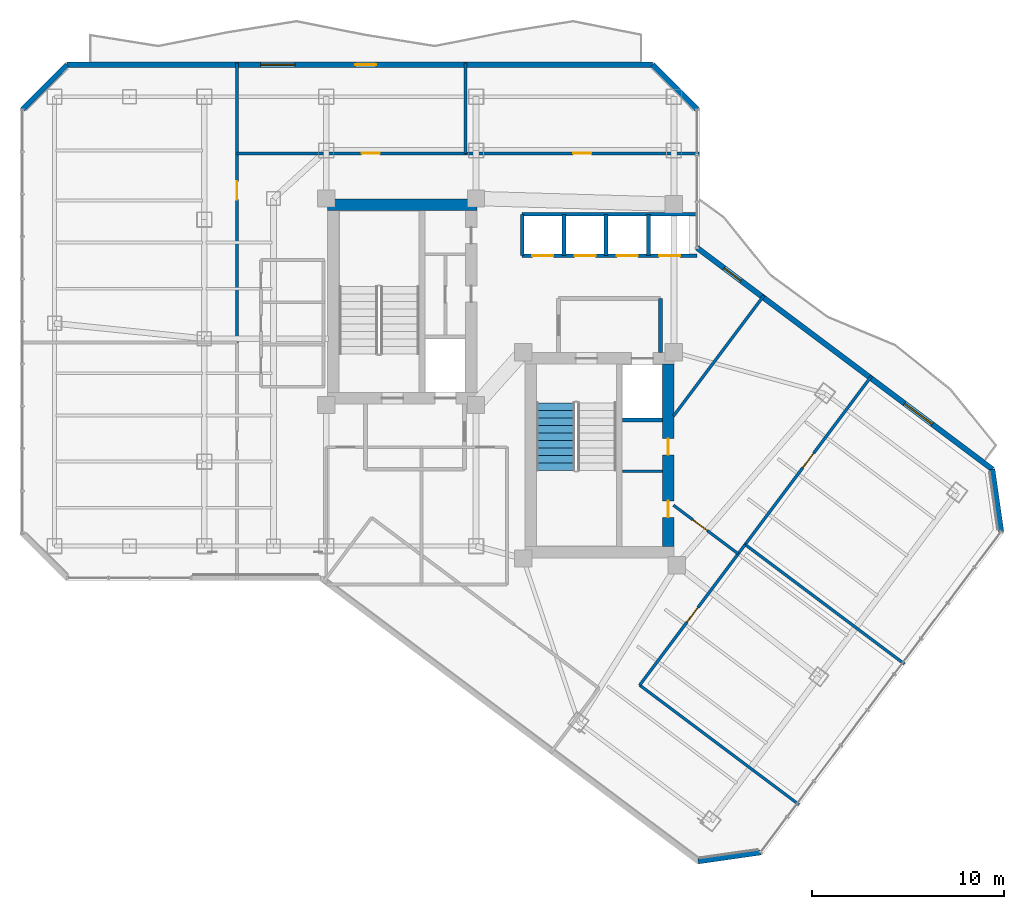
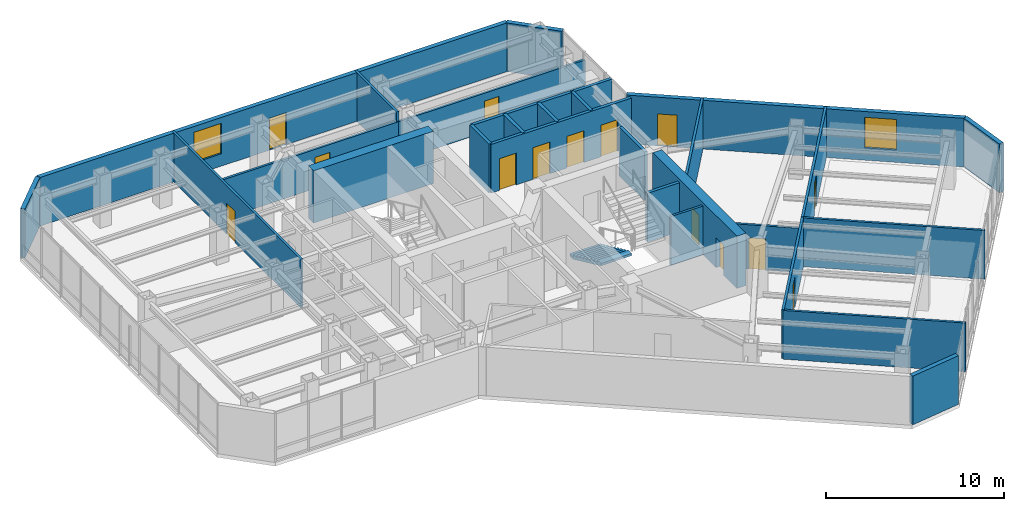
# One storey, part 23 of 27: 27 walls, 14 doors, 2 windows, 1 stair flight, 16 openings, 1 element without a shape of its own.
"""IFC4 building model written with IfcOpenShell, lengths in metres."""

from ifc_helpers import new_model, si_unit, direction, frame, frame_2d, origin, place, context, subcontext, project, spatial, polyline, rectangle, outline, extrude, material, layer, layer_set, type_object, element, fill, aggregate, save


model = new_model("IFC4")

# Units and contexts
model_context = context("Model", 3, precision=1e-05, world=origin(), true_north=direction((0.0, 1.0)))
body_context = subcontext(model_context, "Body", "Model", "MODEL_VIEW")
ifc_project = project(units=[si_unit("LENGTHUNIT", "METRE"), si_unit("AREAUNIT", "SQUARE_METRE"), si_unit("VOLUMEUNIT", "CUBIC_METRE"), si_unit("PLANEANGLEUNIT", "RADIAN"), si_unit("MASSUNIT", "GRAM", prefix="KILO")], contexts=[model_context])

# Site, building, storey
site_placement = place(None, origin())
site = spatial("IfcSite", under=ifc_project, at=site_placement, CompositionType="ELEMENT")
building_placement = place(site_placement, origin())
building = spatial("IfcBuilding", under=site, at=building_placement, Name="Hatsunagi Terrace Concourse", CompositionType="ELEMENT")
storey_placement = place(building_placement, frame((0.0, 0.0, 174.449951171875)))
storey = spatial("IfcBuildingStorey", under=building, at=storey_placement, Name="L46", CompositionType="ELEMENT", Elevation=174.449951171875)

# Wall
ifc_material_1 = material(Name="Concrete Fc48", Category="concrete")
ifc_layer_1 = layer(ifc_material_1, 0.60009765625)
ifc_layer_set_1 = layer_set([ifc_layer_1], Name="CoreShearWall_Fc48_600")
wall_type_1 = type_object("IfcWallType", Name="CoreShearWall_Fc48_600", PredefinedType="SHEAR", material=ifc_layer_set_1)
wall_1_placement = place(storey_placement, frame((25.6201171875, 42.969970703125, 0.0), z_axis=(0.0, 0.0, 1.0), x_axis=(1.0, 0.0, 0.0)))
element("IfcWall", 1, at=wall_1_placement, inside=storey, type_object=wall_type_1, Name="Core A Shear Wall N L46", PredefinedType="SHEAR", context=body_context, shape_type="SweptSolid", body=[
    extrude(rectangle(XDim=7.77978515625, YDim=0.60009765625, at=frame_2d((3.889892578125, 0.0))), origin(), (0.0, 0.0, 1.0), 3.60009765625),
])

# Wall, openings, doors
wall_2_placement = place(storey_placement, frame((43.35009765625, 25.18994140625, 0.0), z_axis=(0.0, 0.0, 1.0), x_axis=(0.0, 1.0, 0.0)))
wall_2 = element("IfcWall", 2, at=wall_2_placement, inside=storey, type_object=wall_type_1, Name="Core B Shear Wall E L46", PredefinedType="SHEAR", context=body_context, shape_type="SweptSolid", body=[
    extrude(rectangle(XDim=9.47998046875, YDim=0.60009765625, at=frame_2d((4.739990234375, 0.0))), origin(), (0.0, 0.0, 1.0), 3.60009765625),
])
opening_1_placement = place(wall_2_placement, frame((1.510009765625, 0.0, 0.0)))
opening_1 = element("IfcOpeningElement", 3, at=opening_1_placement, cuts=wall_2, Name="Opening DR-085", PredefinedType="OPENING", context=body_context, shape_type="SweptSolid", body=[
    extrude(rectangle(XDim=0.85009765625, YDim=2.080078125, at=frame_2d((0.425048828125, 1.0400390625))), frame((0.0, 0.31005859375, 0.0), z_axis=(0.0, -1.0, 0.0), x_axis=(1.0, 0.0, 0.0)), (0.0, 0.0, 1.0), 0.6201171875),
])
opening_2_placement = place(wall_2_placement, frame((4.760009765625, 0.0, 0.0)))
opening_2 = element("IfcOpeningElement", 4, at=opening_2_placement, cuts=wall_2, Name="Opening DR-085", PredefinedType="OPENING", context=body_context, shape_type="SweptSolid", body=[
    extrude(rectangle(XDim=0.85009765625, YDim=2.080078125, at=frame_2d((0.425048828125, 1.0400390625))), frame((0.0, 0.31005859375, 0.0), z_axis=(0.0, -1.0, 0.0), x_axis=(1.0, 0.0, 0.0)), (0.0, 0.0, 1.0), 0.6201171875),
])
ifc_material_2 = material(Name="Painted steel", Category="steel")
door_type_1 = type_object("IfcDoorType", Name="RiserAccessDoor_EI60_850", OperationType="NOTDEFINED", PredefinedType="DOOR", material=ifc_material_2)
door_1_placement = place(opening_1_placement, origin())
door_1 = element("IfcDoor", 5, at=door_1_placement, inside=storey, type_object=door_type_1, Name="Core B Riser Door L46-1", OperationType="SINGLE_SWING_RIGHT", OverallHeight=2.080078125, OverallWidth=0.85009765625, PredefinedType="DOOR", context=body_context, shape_type="SweptSolid", body=[
    extrude(rectangle(XDim=0.85009765625, YDim=2.080078125, at=frame_2d((0.425048828125, 1.0400390625))), frame((0.0, 0.02490234375, 0.0), z_axis=(0.0, -1.0, 0.0), x_axis=(1.0, 0.0, 0.0)), (0.0, 0.0, 1.0), 0.050048828125),
])
fill(opening_1, door_1)
door_2_placement = place(opening_2_placement, origin())
door_2 = element("IfcDoor", 6, at=door_2_placement, inside=storey, type_object=door_type_1, Name="Core B Riser Door L46-2", OperationType="SINGLE_SWING_RIGHT", OverallHeight=2.080078125, OverallWidth=0.85009765625, PredefinedType="DOOR", context=body_context, shape_type="SweptSolid", body=[
    extrude(rectangle(XDim=0.85009765625, YDim=2.080078125, at=frame_2d((0.425048828125, 1.0400390625))), frame((0.0, 0.02490234375, 0.0), z_axis=(0.0, -1.0, 0.0), x_axis=(1.0, 0.0, 0.0)), (0.0, 0.0, 1.0), 0.050048828125),
])
fill(opening_2, door_2)

# Wall
ifc_material_3 = material(Name="Acoustic mineral board", Category="gypsum")
ifc_layer_2 = layer(ifc_material_3, 0.14990234375)
ifc_layer_set_2 = layer_set([ifc_layer_2], Name="PartitionWall_EI60_150")
wall_type_2 = type_object("IfcWallType", Name="PartitionWall_EI60_150", PredefinedType="PARTITIONING", material=ifc_layer_set_2)
wall_3_placement = place(storey_placement, frame((40.969970703125, 29.10009765625, 0.0), z_axis=(0.0, 0.0, 1.0), x_axis=(1.0, 0.0, 0.0)))
element("IfcWall", 7, at=wall_3_placement, inside=storey, type_object=wall_type_2, Name="Interior Partition IW-L46-005", PredefinedType="PARTITIONING", context=body_context, shape_type="SweptSolid", body=[
    extrude(rectangle(XDim=2.080078125, YDim=0.14990234375, at=frame_2d((1.0400390625, 0.0))), origin(), (0.0, 0.0, 1.0), 3.35009765625),
])

# Wall, opening, door
wall_4_placement = place(storey_placement, frame((20.89990234375, 35.800048828125, 0.0), z_axis=(0.0, 0.0, 1.0), x_axis=(0.0, 1.0, 0.0)))
wall_4 = element("IfcWall", 8, at=wall_4_placement, inside=storey, type_object=wall_type_2, Name="Interior Partition IW-L46-035", PredefinedType="PARTITIONING", context=body_context, shape_type="SweptSolid", body=[
    extrude(rectangle(XDim=14.56005859375, YDim=0.14990234375, at=frame_2d((7.280029296875, 0.0))), origin(), (0.0, 0.0, 1.0), 3.35009765625),
])
opening_3_placement = place(wall_4_placement, frame((7.447998046875, 0.0, 0.0)))
opening_3 = element("IfcOpeningElement", 9, at=opening_3_placement, cuts=wall_4, Name="Opening DR-095", PredefinedType="OPENING", context=body_context, shape_type="SweptSolid", body=[
    extrude(rectangle(XDim=0.949951171875, YDim=2.14990234375, at=frame_2d((0.47509765625, 1.074951171875))), frame((0.0, 0.0849609375, 0.0), z_axis=(0.0, -1.0, 0.0), x_axis=(1.0, 0.0, 0.0)), (0.0, 0.0, 1.0), 0.169921875),
])
ifc_material_4 = material(Name="Hardwood timber", Category="wood")
door_type_2 = type_object("IfcDoorType", Name="InteriorSuiteDoor_EI30_950", OperationType="NOTDEFINED", PredefinedType="DOOR", material=ifc_material_4)
door_3_placement = place(opening_3_placement, origin())
door_3 = element("IfcDoor", 10, at=door_3_placement, inside=storey, type_object=door_type_2, Name="Open Plan Office L46-OW2 Door", OperationType="SINGLE_SWING_LEFT", OverallHeight=2.14990234375, OverallWidth=0.949951171875, PredefinedType="DOOR", context=body_context, shape_type="SweptSolid", body=[
    extrude(rectangle(XDim=0.949951171875, YDim=2.14990234375, at=frame_2d((0.47509765625, 1.074951171875))), frame((0.0, 0.02490234375, 0.0), z_axis=(0.0, -1.0, 0.0), x_axis=(1.0, 0.0, 0.0)), (0.0, 0.0, 1.0), 0.050048828125),
])
fill(opening_3, door_3)

wall_5_placement = place(storey_placement, frame((20.89990234375, 45.64990234375, 0.0), z_axis=(0.0, 0.0, 1.0), x_axis=(1.0, 0.0, 0.0)))
wall_5 = element("IfcWall", 11, at=wall_5_placement, inside=storey, type_object=wall_type_2, Name="Interior Partition IW-L46-036", PredefinedType="PARTITIONING", context=body_context, shape_type="SweptSolid", body=[
    extrude(rectangle(XDim=11.900146484375, YDim=0.14990234375, at=frame_2d((5.9501953125, 0.0))), origin(), (0.0, 0.0, 1.0), 2.695068359375),
])
opening_4_placement = place(wall_5_placement, frame((6.493896484375, 0.0, 0.0)))
opening_4 = element("IfcOpeningElement", 12, at=opening_4_placement, cuts=wall_5, Name="Opening DR-095", PredefinedType="OPENING", context=body_context, shape_type="SweptSolid", body=[
    extrude(rectangle(XDim=0.949951171875, YDim=2.14990234375, at=frame_2d((0.47509765625, 1.074951171875))), frame((0.0, 0.0849609375, 0.0), z_axis=(0.0, -1.0, 0.0), x_axis=(1.0, 0.0, 0.0)), (0.0, 0.0, 1.0), 0.169921875),
])
door_4_placement = place(opening_4_placement, origin())
door_4 = element("IfcDoor", 13, at=door_4_placement, inside=storey, type_object=door_type_2, Name="Boardroom L46-ON1 Door", OperationType="SINGLE_SWING_RIGHT", OverallHeight=2.14990234375, OverallWidth=0.949951171875, PredefinedType="DOOR", context=body_context, shape_type="SweptSolid", body=[
    extrude(rectangle(XDim=0.949951171875, YDim=2.14990234375, at=frame_2d((0.47509765625, 1.074951171875))), frame((0.0, 0.02490234375, 0.0), z_axis=(0.0, -1.0, 0.0), x_axis=(1.0, 0.0, 0.0)), (0.0, 0.0, 1.0), 0.050048828125),
])
fill(opening_4, door_4)

# Wall
wall_6_placement = place(storey_placement, frame((32.800048828125, 45.64990234375, 0.0), z_axis=(0.0, 0.0, 1.0), x_axis=(0.0, 1.0, 0.0)))
element("IfcWall", 14, at=wall_6_placement, inside=storey, type_object=wall_type_2, Name="Interior Partition IW-L46-037", PredefinedType="PARTITIONING", context=body_context, shape_type="SweptSolid", body=[
    extrude(rectangle(XDim=4.710205078125, YDim=0.14990234375, at=frame_2d((2.35498046875, 0.0))), origin(), (0.0, 0.0, 1.0), 3.35009765625),
])

# Wall, opening, door
wall_7_placement = place(storey_placement, frame((32.800048828125, 45.64990234375, 0.0), z_axis=(0.0, 0.0, 1.0), x_axis=(1.0, 0.0, 0.0)))
wall_7 = element("IfcWall", 15, at=wall_7_placement, inside=storey, type_object=wall_type_2, Name="Interior Partition IW-L46-038", PredefinedType="PARTITIONING", context=body_context, shape_type="SweptSolid", body=[
    extrude(rectangle(XDim=12.159912109375, YDim=0.14990234375, at=frame_2d((6.080078125, 0.0))), origin(), (0.0, 0.0, 1.0), 2.695068359375),
])
opening_5_placement = place(wall_7_placement, frame((5.60498046875, 0.0, 0.0)))
opening_5 = element("IfcOpeningElement", 16, at=opening_5_placement, cuts=wall_7, Name="Opening DR-095", PredefinedType="OPENING", context=body_context, shape_type="SweptSolid", body=[
    extrude(rectangle(XDim=0.949951171875, YDim=2.14990234375, at=frame_2d((0.47509765625, 1.074951171875))), frame((0.0, 0.0849609375, 0.0), z_axis=(0.0, -1.0, 0.0), x_axis=(1.0, 0.0, 0.0)), (0.0, 0.0, 1.0), 0.169921875),
])
door_5_placement = place(opening_5_placement, origin())
door_5 = element("IfcDoor", 17, at=door_5_placement, inside=storey, type_object=door_type_2, Name="Boardroom L46-ON2 Door", OperationType="SINGLE_SWING_RIGHT", OverallHeight=2.14990234375, OverallWidth=0.949951171875, PredefinedType="DOOR", context=body_context, shape_type="SweptSolid", body=[
    extrude(rectangle(XDim=0.949951171875, YDim=2.14990234375, at=frame_2d((0.47509765625, 1.074951171875))), frame((0.0, 0.02490234375, 0.0), z_axis=(0.0, -1.0, 0.0), x_axis=(1.0, 0.0, 0.0)), (0.0, 0.0, 1.0), 0.050048828125),
])
fill(opening_5, door_5)

# Walls
for number, where, z_axis, x_axis, name in (
    (18, (41.8701171875, 17.9599609375, 0.0), (0.0, 0.0, 1.0), (0.799991516197, -0.600011311571, 0.0), "Interior Partition IW-L46-039"),
    (19, (47.360107421875, 25.280029296875, 0.0), (0.0, 0.0, 1.0), (0.799991516197, -0.600011311571, 0.0), "Interior Partition IW-L46-040"),
):
    element("IfcWall", number, at=place(storey_placement, frame(where, z_axis=z_axis, x_axis=x_axis)), inside=storey, type_object=wall_type_2, Name=name, PredefinedType="PARTITIONING", context=body_context, shape_type="SweptSolid", body=[
        extrude(rectangle(XDim=10.35986328125, YDim=0.14990234375, at=frame_2d((5.179931640625, 0.0))), origin(), (0.0, 0.0, 1.0), 3.35009765625),
    ])

# Wall, opening, door
wall_8_placement = place(storey_placement, frame((41.8701171875, 17.9599609375, 0.0), z_axis=(0.0, 0.0, 1.0), x_axis=(0.599995730889, 0.800003201816, 0.0)))
wall_8 = element("IfcWall", 20, at=wall_8_placement, inside=storey, type_object=wall_type_2, Name="Interior Partition IW-L46-041", PredefinedType="PARTITIONING", context=body_context, shape_type="SweptSolid", body=[
    extrude(rectangle(XDim=9.150146484375, YDim=0.14990234375, at=frame_2d((4.5751953125, 0.0))), origin(), (0.0, 0.0, 1.0), 3.35009765625),
])
opening_6_placement = place(wall_8_placement, frame((4.10009765625, 0.0, 0.0)))
opening_6 = element("IfcOpeningElement", 21, at=opening_6_placement, cuts=wall_8, Name="Opening DR-095", PredefinedType="OPENING", context=body_context, shape_type="SweptSolid", body=[
    extrude(rectangle(XDim=0.949951171875, YDim=2.14990234375, at=frame_2d((0.47509765625, 1.074951171875))), frame((0.0, 0.0849609375, 0.0), z_axis=(0.0, -1.0, 0.0), x_axis=(1.0, 0.0, 0.0)), (0.0, 0.0, 1.0), 0.169921875),
])
door_6_placement = place(opening_6_placement, origin())
door_6 = element("IfcDoor", 22, at=door_6_placement, inside=storey, type_object=door_type_2, Name="Research Focus Suite L46-OSE1 Door", OperationType="SINGLE_SWING_RIGHT", OverallHeight=2.14990234375, OverallWidth=0.949951171875, PredefinedType="DOOR", context=body_context, shape_type="SweptSolid", body=[
    extrude(rectangle(XDim=0.949951171875, YDim=2.14990234375, at=frame_2d((0.47509765625, 1.074951171875))), frame((0.0, 0.02490234375, 0.0), z_axis=(0.0, -1.0, 0.0), x_axis=(1.0, 0.0, 0.0)), (0.0, 0.0, 1.0), 0.050048828125),
])
fill(opening_6, door_6)

wall_9_placement = place(storey_placement, frame((47.360107421875, 25.280029296875, 0.0), z_axis=(0.0, 0.0, 1.0), x_axis=(0.599992871789, 0.800005346109, 0.0)))
wall_9 = element("IfcWall", 23, at=wall_9_placement, inside=storey, type_object=wall_type_2, Name="Interior Partition IW-L46-042", PredefinedType="PARTITIONING", context=body_context, shape_type="SweptSolid", body=[
    extrude(rectangle(XDim=10.9599609375, YDim=0.14990234375, at=frame_2d((5.47998046875, 0.0))), origin(), (0.0, 0.0, 1.0), 3.35009765625),
])
opening_7_placement = place(wall_9_placement, frame((5.0048828125, 0.0, 0.0)))
opening_7 = element("IfcOpeningElement", 24, at=opening_7_placement, cuts=wall_9, Name="Opening DR-095", PredefinedType="OPENING", context=body_context, shape_type="SweptSolid", body=[
    extrude(rectangle(XDim=0.949951171875, YDim=2.14990234375, at=frame_2d((0.47509765625, 1.074951171875))), frame((0.0, 0.0849609375, 0.0), z_axis=(0.0, -1.0, 0.0), x_axis=(1.0, 0.0, 0.0)), (0.0, 0.0, 1.0), 0.169921875),
])
door_7_placement = place(opening_7_placement, origin())
door_7 = element("IfcDoor", 25, at=door_7_placement, inside=storey, type_object=door_type_2, Name="Research Focus Suite L46-OSE2 Door", OperationType="SINGLE_SWING_RIGHT", OverallHeight=2.14990234375, OverallWidth=0.949951171875, PredefinedType="DOOR", context=body_context, shape_type="SweptSolid", body=[
    extrude(rectangle(XDim=0.949951171875, YDim=2.14990234375, at=frame_2d((0.47509765625, 1.074951171875))), frame((0.0, 0.02490234375, 0.0), z_axis=(0.0, -1.0, 0.0), x_axis=(1.0, 0.0, 0.0)), (0.0, 0.0, 1.0), 0.050048828125),
])
fill(opening_7, door_7)

wall_10_placement = place(storey_placement, frame((43.6298828125, 27.327880859375, 0.0), z_axis=(0.0, 0.0, 1.0), x_axis=(0.799972182084, -0.600037088764, 0.0)))
wall_10 = element("IfcWall", 26, at=wall_10_placement, inside=storey, type_object=wall_type_2, Name="Interior Partition IW-L46-043", PredefinedType="PARTITIONING", context=body_context, shape_type="SweptSolid", body=[
    extrude(rectangle(XDim=4.212890625, YDim=0.14990234375, at=frame_2d((2.1064453125, 0.0))), origin(), (0.0, 0.0, 1.0), 3.045166015625),
])
opening_8_placement = place(wall_10_placement, frame((1.256103515625, 0.0, 0.0)))
opening_8 = element("IfcOpeningElement", 27, at=opening_8_placement, cuts=wall_10, Name="Opening DR-095", PredefinedType="OPENING", context=body_context, shape_type="SweptSolid", body=[
    extrude(rectangle(XDim=0.949951171875, YDim=2.14990234375, at=frame_2d((0.47509765625, 1.074951171875))), frame((0.0, 0.0849609375, 0.0), z_axis=(0.0, -1.0, 0.0), x_axis=(1.0, 0.0, 0.0)), (0.0, 0.0, 1.0), 0.169921875),
])
door_8_placement = place(opening_8_placement, origin())
door_8 = element("IfcDoor", 28, at=door_8_placement, inside=storey, type_object=door_type_2, Name="Collaboration Lounge L46-OSEN0 Door", OperationType="SINGLE_SWING_LEFT", OverallHeight=2.14990234375, OverallWidth=0.949951171875, PredefinedType="DOOR", context=body_context, shape_type="SweptSolid", body=[
    extrude(rectangle(XDim=0.949951171875, YDim=2.14990234375, at=frame_2d((0.47509765625, 1.074951171875))), frame((0.0, 0.02490234375, 0.0), z_axis=(0.0, -1.0, 0.0), x_axis=(1.0, 0.0, 0.0)), (0.0, 0.0, 1.0), 0.050048828125),
])
fill(opening_8, door_8)

# Walls
wall_11_placement = place(storey_placement, frame((43.6298828125, 31.972900390625, 0.0), z_axis=(0.0, 0.0, 1.0), x_axis=(0.599975099311, 0.800018674911, 0.0)))
element("IfcWall", 29, at=wall_11_placement, inside=storey, type_object=wall_type_2, Name="Interior Partition IW-L46-044", PredefinedType="PARTITIONING", context=body_context, shape_type="SweptSolid", body=[
    extrude(rectangle(XDim=7.84375, YDim=0.14990234375, at=frame_2d((3.921875, 0.0))), origin(), (0.0, 0.0, 1.0), 3.35009765625),
])
ifc_material_5 = material(Name="Acoustic mineral board", Category="gypsum")
ifc_layer_3 = layer(ifc_material_5, 0.199951171875)
ifc_layer_set_3 = layer_set([ifc_layer_3], Name="ShaftWall_EI120_200")
wall_type_3 = type_object("IfcWallType", Name="ShaftWall_EI120_200", PredefinedType="STANDARD", material=ifc_layer_set_3)
wall_12_placement = place(storey_placement, frame((40.969970703125, 31.760009765625, 0.0), z_axis=(0.0, 0.0, 1.0), x_axis=(1.0, 0.0, 0.0)))
element("IfcWall", 30, at=wall_12_placement, inside=storey, type_object=wall_type_3, Name="Interior Partition IW-L46-004", PredefinedType="STANDARD", context=body_context, shape_type="SweptSolid", body=[
    extrude(rectangle(XDim=2.080078125, YDim=0.199951171875, at=frame_2d((1.0400390625, 0.0))), origin(), (0.0, 0.0, 1.0), 3.35009765625),
])
wall_13_placement = place(storey_placement, frame((42.949951171875, 35.27001953125, 0.0), z_axis=(0.0, 0.0, 1.0), x_axis=(0.0, 1.0, 0.0)))
element("IfcWall", 31, at=wall_13_placement, inside=storey, type_object=wall_type_3, Name="Interior Partition IW-L46-010", PredefinedType="STANDARD", context=body_context, shape_type="SweptSolid", body=[
    extrude(rectangle(XDim=2.830078125, YDim=0.199951171875, at=frame_2d((1.4150390625, 0.0))), origin(), (0.0, 0.0, 1.0), 3.35009765625),
])
wall_14_placement = place(storey_placement, frame((35.75, 42.47998046875, 0.0), z_axis=(0.0, 0.0, 1.0), x_axis=(1.0, 0.0, 0.0)))
element("IfcWall", 32, at=wall_14_placement, inside=storey, type_object=wall_type_3, Name="Interior Partition IW-L46-012", PredefinedType="STANDARD", context=body_context, shape_type="SweptSolid", body=[
    extrude(rectangle(XDim=9.110107421875, YDim=0.199951171875, at=frame_2d((4.55517578125, 0.0))), origin(), (0.0, 0.0, 1.0), 3.35009765625),
])
for number, where, z_axis, x_axis, name in (
    (33, (35.75, 40.320068359375, 0.0), (0.0, 0.0, 1.0), (0.0, 1.0, 0.0), "Interior Partition IW-L46-013"),
    (34, (37.919921875, 40.320068359375, 0.0), (0.0, 0.0, 1.0), (0.0, 1.0, 0.0), "Interior Partition IW-L46-014"),
    (35, (40.1201171875, 40.320068359375, 0.0), (0.0, 0.0, 1.0), (0.0, 1.0, 0.0), "Interior Partition IW-L46-015"),
    (36, (42.320068359375, 40.320068359375, 0.0), (0.0, 0.0, 1.0), (0.0, 1.0, 0.0), "Interior Partition IW-L46-016"),
):
    element("IfcWall", number, at=place(storey_placement, frame(where, z_axis=z_axis, x_axis=x_axis)), inside=storey, type_object=wall_type_3, Name=name, PredefinedType="STANDARD", context=body_context, shape_type="SweptSolid", body=[
        extrude(rectangle(XDim=2.159912109375, YDim=0.199951171875, at=frame_2d((1.080078125, 0.0))), origin(), (0.0, 0.0, 1.0), 3.35009765625),
    ])

# Wall, openings, doors
wall_15_placement = place(storey_placement, frame((35.75, 40.320068359375, 0.0), z_axis=(0.0, 0.0, 1.0), x_axis=(1.0, 0.0, 0.0)))
wall_15 = element("IfcWall", 37, at=wall_15_placement, inside=storey, type_object=wall_type_3, Name="Interior Partition IW-L46-017", PredefinedType="STANDARD", context=body_context, shape_type="SweptSolid", body=[
    extrude(rectangle(XDim=9.110107421875, YDim=0.199951171875, at=frame_2d((4.55517578125, 0.0))), origin(), (0.0, 0.0, 1.0), 3.35009765625),
])
opening_9_placement = place(wall_15_placement, frame((0.530029296875, 0.0, 0.0)))
opening_9 = element("IfcOpeningElement", 38, at=opening_9_placement, cuts=wall_15, Name="Opening LD-04", PredefinedType="OPENING", context=body_context, shape_type="SweptSolid", body=[
    extrude(rectangle(XDim=1.10009765625, YDim=2.179931640625, at=frame_2d((0.550048828125, 1.08984375))), frame((0.0, 0.10986328125, 0.0), z_axis=(0.0, -1.0, 0.0), x_axis=(1.0, 0.0, 0.0)), (0.0, 0.0, 1.0), 0.219970703125),
])
opening_10_placement = place(wall_15_placement, frame((2.72998046875, 0.0, 0.0)))
opening_10 = element("IfcOpeningElement", 39, at=opening_10_placement, cuts=wall_15, Name="Opening LD-04", PredefinedType="OPENING", context=body_context, shape_type="SweptSolid", body=[
    extrude(rectangle(XDim=1.10009765625, YDim=2.179931640625, at=frame_2d((0.550048828125, 1.08984375))), frame((0.0, 0.10986328125, 0.0), z_axis=(0.0, -1.0, 0.0), x_axis=(1.0, 0.0, 0.0)), (0.0, 0.0, 1.0), 0.219970703125),
])
opening_11_placement = place(wall_15_placement, frame((4.929931640625, 0.0, 0.0)))
opening_11 = element("IfcOpeningElement", 40, at=opening_11_placement, cuts=wall_15, Name="Opening LD-04", PredefinedType="OPENING", context=body_context, shape_type="SweptSolid", body=[
    extrude(rectangle(XDim=1.10009765625, YDim=2.179931640625, at=frame_2d((0.550048828125, 1.08984375))), frame((0.0, 0.10986328125, 0.0), z_axis=(0.0, -1.0, 0.0), x_axis=(1.0, 0.0, 0.0)), (0.0, 0.0, 1.0), 0.219970703125),
])
opening_12_placement = place(wall_15_placement, frame((7.1298828125, 0.0, 0.0)))
opening_12 = element("IfcOpeningElement", 41, at=opening_12_placement, cuts=wall_15, Name="Opening LD-04", PredefinedType="OPENING", context=body_context, shape_type="SweptSolid", body=[
    extrude(rectangle(XDim=1.10009765625, YDim=2.179931640625, at=frame_2d((0.550048828125, 1.08984375))), frame((0.0, 0.10986328125, 0.0), z_axis=(0.0, -1.0, 0.0), x_axis=(1.0, 0.0, 0.0)), (0.0, 0.0, 1.0), 0.219970703125),
])
ifc_material_6 = material(Name="Stainless steel", Category="steel")
door_type_3 = type_object("IfcDoorType", Name="LiftLandingDoor_LD04", OperationType="SLIDING_TO_RIGHT", PredefinedType="USERDEFINED", material=ifc_material_6)
door_9_placement = place(opening_9_placement, origin())
door_9 = element("IfcDoor", 42, at=door_9_placement, inside=storey, type_object=door_type_3, Name="Lift landing door PL-05 L46", ObjectType="SLIDING_LANDING_DOOR", OperationType="SLIDING_TO_RIGHT", OverallHeight=2.179931640625, OverallWidth=1.10009765625, PredefinedType="USERDEFINED", context=body_context, shape_type="SweptSolid", body=[
    extrude(rectangle(XDim=1.10009765625, YDim=2.179931640625, at=frame_2d((0.550048828125, 1.08984375))), frame((0.0, 0.02490234375, 0.0), z_axis=(0.0, -1.0, 0.0), x_axis=(1.0, 0.0, 0.0)), (0.0, 0.0, 1.0), 0.050048828125),
])
fill(opening_9, door_9)
door_10_placement = place(opening_10_placement, origin())
door_10 = element("IfcDoor", 43, at=door_10_placement, inside=storey, type_object=door_type_3, Name="Lift landing door PL-06 L46", ObjectType="SLIDING_LANDING_DOOR", OperationType="SLIDING_TO_RIGHT", OverallHeight=2.179931640625, OverallWidth=1.10009765625, PredefinedType="USERDEFINED", context=body_context, shape_type="SweptSolid", body=[
    extrude(rectangle(XDim=1.10009765625, YDim=2.179931640625, at=frame_2d((0.550048828125, 1.08984375))), frame((0.0, 0.02490234375, 0.0), z_axis=(0.0, -1.0, 0.0), x_axis=(1.0, 0.0, 0.0)), (0.0, 0.0, 1.0), 0.050048828125),
])
fill(opening_10, door_10)
door_11_placement = place(opening_11_placement, origin())
door_11 = element("IfcDoor", 44, at=door_11_placement, inside=storey, type_object=door_type_3, Name="Lift landing door PL-07 L46", ObjectType="SLIDING_LANDING_DOOR", OperationType="SLIDING_TO_RIGHT", OverallHeight=2.179931640625, OverallWidth=1.10009765625, PredefinedType="USERDEFINED", context=body_context, shape_type="SweptSolid", body=[
    extrude(rectangle(XDim=1.10009765625, YDim=2.179931640625, at=frame_2d((0.550048828125, 1.08984375))), frame((0.0, 0.02490234375, 0.0), z_axis=(0.0, -1.0, 0.0), x_axis=(1.0, 0.0, 0.0)), (0.0, 0.0, 1.0), 0.050048828125),
])
fill(opening_11, door_11)
door_12_placement = place(opening_12_placement, origin())
door_12 = element("IfcDoor", 45, at=door_12_placement, inside=storey, type_object=door_type_3, Name="Lift landing door PL-08 L46", ObjectType="SLIDING_LANDING_DOOR", OperationType="SLIDING_TO_RIGHT", OverallHeight=2.179931640625, OverallWidth=1.10009765625, PredefinedType="USERDEFINED", context=body_context, shape_type="SweptSolid", body=[
    extrude(rectangle(XDim=1.10009765625, YDim=2.179931640625, at=frame_2d((0.550048828125, 1.08984375))), frame((0.0, 0.02490234375, 0.0), z_axis=(0.0, -1.0, 0.0), x_axis=(1.0, 0.0, 0.0)), (0.0, 0.0, 1.0), 0.050048828125),
])
fill(opening_12, door_12)

# Wall, openings, door, window
ifc_material_7 = material(Name="Autoclaved Lightweight Concrete and Terracotta Cladding", Category="masonry")
ifc_layer_4 = layer(ifc_material_7, 0.280029296875)
ifc_layer_set_4 = layer_set([ifc_layer_4], Name="TerracottaSpandrelWall_280")
wall_type_4 = type_object("IfcWallType", Name="TerracottaSpandrelWall_280", PredefinedType="STANDARD", material=ifc_layer_set_4)
wall_16_placement = place(storey_placement, frame((44.860107421875, 40.72998046875, 0.0), z_axis=(0.0, 0.0, 1.0), x_axis=(0.800007624502, -0.599989833863, 0.0)))
wall_16 = element("IfcWall", 46, at=wall_16_placement, inside=storey, type_object=wall_type_4, Name="Exterior Spandrel Wall EW-L46-01", PredefinedType="STANDARD", context=body_context, shape_type="SweptSolid", body=[
    extrude(rectangle(XDim=19.212158203125, YDim=0.280029296875, at=frame_2d((9.60595703125, 0.0))), origin(), (0.0, 0.0, 1.0), 3.35009765625),
])
opening_13_placement = place(wall_16_placement, frame((1.7548828125, 0.0, 0.0)))
opening_13 = element("IfcOpeningElement", 47, at=opening_13_placement, cuts=wall_16, Name="Opening BD-01", PredefinedType="OPENING", context=body_context, shape_type="SweptSolid", body=[
    extrude(rectangle(XDim=1.10009765625, YDim=2.199951171875, at=frame_2d((0.550048828125, 1.10009765625))), frame((0.0, 0.14990234375, 0.0), z_axis=(0.0, -1.0, 0.0), x_axis=(1.0, 0.0, 0.0)), (0.0, 0.0, 1.0), 0.300048828125),
])
opening_14_placement = place(wall_16_placement, frame((13.509033203125, 0.0, 0.85009765625)))
opening_14 = element("IfcOpeningElement", 48, at=opening_14_placement, cuts=wall_16, Name="Opening WIN-03", PredefinedType="OPENING", context=body_context, shape_type="SweptSolid", body=[
    extrude(rectangle(XDim=1.800048828125, YDim=2.10009765625, at=frame_2d((0.89990234375, 1.050048828125))), frame((0.0, 0.14990234375, 0.0), z_axis=(0.0, -1.0, 0.0), x_axis=(1.0, 0.0, 0.0)), (0.0, 0.0, 1.0), 0.300048828125),
])
ifc_material_8 = material(Name="Galvanised Steel and Laminated Safety Glass", Category="steel")
door_type_4 = type_object("IfcDoorType", Name="BalconyTerraceAccessDoor_1100x2200", OperationType="SINGLE_SWING_LEFT", PredefinedType="DOOR", material=ifc_material_8)
door_13_placement = place(opening_13_placement, origin())
door_13 = element("IfcDoor", 49, at=door_13_placement, inside=storey, type_object=door_type_4, Name="Engawa Balcony Door L46-BSE", OperationType="SINGLE_SWING_LEFT", OverallHeight=2.199951171875, OverallWidth=1.10009765625, PredefinedType="DOOR", context=body_context, shape_type="SweptSolid", body=[
    extrude(rectangle(XDim=1.10009765625, YDim=2.199951171875, at=frame_2d((0.550048828125, 1.10009765625))), frame((0.0, 0.02490234375, 0.0), z_axis=(0.0, -1.0, 0.0), x_axis=(1.0, 0.0, 0.0)), (0.0, 0.0, 1.0), 0.050048828125),
])
fill(opening_13, door_13)
ifc_material_9 = material(Name="Thermally Broken Aluminium and Low-E Triple Glazing", Category="aluminium")
window_type = type_object("IfcWindowType", Name="OfficeCornerFeatureWindow_1800x2100", PartitioningType="SINGLE_PANEL", PredefinedType="WINDOW", material=ifc_material_9)
window_1_placement = place(opening_14_placement, origin())
window_1 = element("IfcWindow", 50, at=window_1_placement, inside=storey, type_object=window_type, Name="Balcony Daylighting Window L46-01-2", OverallHeight=2.10009765625, OverallWidth=1.800048828125, PartitioningType="SINGLE_PANEL", PredefinedType="WINDOW", context=body_context, shape_type="SweptSolid", body=[
    extrude(rectangle(XDim=1.800048828125, YDim=2.10009765625, at=frame_2d((0.89990234375, 1.050048828125))), frame((0.0, 0.030029296875, 0.0), z_axis=(0.0, -1.0, 0.0), x_axis=(1.0, 0.0, 0.0)), (0.0, 0.0, 1.0), 0.06005859375),
])
fill(opening_14, window_1)

# Walls
wall_17_placement = place(storey_placement, frame((60.22998046875, 29.202880859375, 0.0), z_axis=(0.0, 0.0, 1.0), x_axis=(0.141296221922, -0.989967361922, 0.0)))
element("IfcWall", 51, at=wall_17_placement, inside=storey, type_object=wall_type_4, Name="Exterior Spandrel Wall EW-L46-02", PredefinedType="STANDARD", context=body_context, shape_type="SweptSolid", body=[
    extrude(rectangle(XDim=3.27783203125, YDim=0.280029296875, at=frame_2d((1.638916015625, 0.0))), origin(), (0.0, 0.0, 1.0), 3.35009765625),
])
wall_18_placement = place(storey_placement, frame((48.1630859375, 9.25, 0.0), z_axis=(0.0, 0.0, 1.0), x_axis=(-0.989979263428, -0.141212810973, 0.0)))
element("IfcWall", 52, at=wall_18_placement, inside=storey, type_object=wall_type_4, Name="Exterior Spandrel Wall EW-L46-04", PredefinedType="STANDARD", context=body_context, shape_type="SweptSolid", body=[
    extrude(rectangle(XDim=3.278076171875, YDim=0.280029296875, at=frame_2d((1.63916015625, 0.0))), origin(), (0.0, 0.0, 1.0), 3.35009765625),
])
wall_19_placement = place(storey_placement, frame((9.739990234375, 47.94189453125, 0.0), z_axis=(0.0, 0.0, 1.0), x_axis=(0.707106781187, 0.707106781187, 0.0)))
element("IfcWall", 53, at=wall_19_placement, inside=storey, type_object=wall_type_4, Name="Exterior Spandrel Wall EW-L46-10", PredefinedType="STANDARD", context=body_context, shape_type="SweptSolid", body=[
    extrude(rectangle(XDim=3.2783203125, YDim=0.280029296875, at=frame_2d((1.63916015625, 0.0))), origin(), (0.0, 0.0, 1.0), 3.35009765625),
])

# Wall, openings, door, window
wall_20_placement = place(storey_placement, frame((12.05810546875, 50.260009765625, 0.0), z_axis=(0.0, 0.0, 1.0), x_axis=(1.0, 0.0, 0.0)))
wall_20 = element("IfcWall", 54, at=wall_20_placement, inside=storey, type_object=wall_type_4, Name="Exterior Spandrel Wall EW-L46-11", PredefinedType="STANDARD", context=body_context, shape_type="SweptSolid", body=[
    extrude(rectangle(XDim=30.48388671875, YDim=0.280029296875, at=frame_2d((15.241943359375, 0.0))), origin(), (0.0, 0.0, 1.0), 3.35009765625),
])
opening_15_placement = place(wall_20_placement, frame((14.991943359375, 0.0, 0.0)))
opening_15 = element("IfcOpeningElement", 55, at=opening_15_placement, cuts=wall_20, Name="Opening BD-01", PredefinedType="OPENING", context=body_context, shape_type="SweptSolid", body=[
    extrude(rectangle(XDim=1.10009765625, YDim=2.199951171875, at=frame_2d((0.550048828125, 1.10009765625))), frame((0.0, 0.14990234375, 0.0), z_axis=(0.0, -1.0, 0.0), x_axis=(1.0, 0.0, 0.0)), (0.0, 0.0, 1.0), 0.300048828125),
])
opening_16_placement = place(wall_20_placement, frame((10.073974609375, 0.0, 0.85009765625)))
opening_16 = element("IfcOpeningElement", 56, at=opening_16_placement, cuts=wall_20, Name="Opening WIN-03", PredefinedType="OPENING", context=body_context, shape_type="SweptSolid", body=[
    extrude(rectangle(XDim=1.800048828125, YDim=2.10009765625, at=frame_2d((0.89990234375, 1.050048828125))), frame((0.0, 0.14990234375, 0.0), z_axis=(0.0, -1.0, 0.0), x_axis=(1.0, 0.0, 0.0)), (0.0, 0.0, 1.0), 0.300048828125),
])
door_14_placement = place(opening_15_placement, origin())
door_14 = element("IfcDoor", 57, at=door_14_placement, inside=storey, type_object=door_type_4, Name="Engawa Balcony Door L46-BN", OperationType="SINGLE_SWING_RIGHT", OverallHeight=2.199951171875, OverallWidth=1.10009765625, PredefinedType="DOOR", context=body_context, shape_type="SweptSolid", body=[
    extrude(rectangle(XDim=1.10009765625, YDim=2.199951171875, at=frame_2d((0.550048828125, 1.10009765625))), frame((0.0, 0.02490234375, 0.0), z_axis=(0.0, -1.0, 0.0), x_axis=(1.0, 0.0, 0.0)), (0.0, 0.0, 1.0), 0.050048828125),
])
fill(opening_15, door_14)
window_2_placement = place(opening_16_placement, origin())
window_2 = element("IfcWindow", 58, at=window_2_placement, inside=storey, type_object=window_type, Name="Balcony Daylighting Window L46-11-1", OverallHeight=2.10009765625, OverallWidth=1.800048828125, PartitioningType="SINGLE_PANEL", PredefinedType="WINDOW", context=body_context, shape_type="SweptSolid", body=[
    extrude(rectangle(XDim=1.800048828125, YDim=2.10009765625, at=frame_2d((0.89990234375, 1.050048828125))), frame((0.0, 0.030029296875, 0.0), z_axis=(0.0, -1.0, 0.0), x_axis=(1.0, 0.0, 0.0)), (0.0, 0.0, 1.0), 0.06005859375),
])
fill(opening_16, window_2)

# Wall
wall_21_placement = place(storey_placement, frame((42.5419921875, 50.260009765625, 0.0), z_axis=(0.0, 0.0, 1.0), x_axis=(0.707106781187, -0.707106781187, 0.0)))
element("IfcWall", 59, at=wall_21_placement, inside=storey, type_object=wall_type_4, Name="Exterior Spandrel Wall EW-L46-12", PredefinedType="STANDARD", context=body_context, shape_type="SweptSolid", body=[
    extrude(rectangle(XDim=3.2783203125, YDim=0.280029296875, at=frame_2d((1.63916015625, 0.0))), origin(), (0.0, 0.0, 1.0), 3.35009765625),
])

# Stair, stair flight
ifc_material_10 = material(Name="Concrete Fc42", Category="concrete")
stair_type = type_object("IfcStairType", Name="DoglegExitStair_Tower2000_20R_180", PredefinedType="HALF_TURN_STAIR", material=ifc_material_10)
stair_placement = place(storey_placement, origin())
stair = element("IfcStair", 60, at=stair_placement, inside=storey, type_object=stair_type, Name="L46 Core B Protected Exit Stair ST-B", PredefinedType="HALF_TURN_STAIR")
ifc_material_11 = material(Name="Concrete Fc42", Category="concrete")
stair_flight_type = type_object("IfcStairFlightType", Name="DoglegStairFlight_Tower2000_20R_180", PredefinedType="STRAIGHT", material=ifc_material_11)
stair_flight_placement = place(storey_placement, frame((37.5, 32.659912109375, 0.0), z_axis=(0.0, 0.0, 1.0), x_axis=(0.0, -1.0, 0.0)))
stair_flight = element("IfcStairFlight", 61, at=stair_flight_placement, type_object=stair_flight_type, Name="ST-B flight 1", NumberOfRisers=10, NumberOfTreads=9, PredefinedType="STRAIGHT", RiserHeight=0.18, TreadLength=0.39, context=body_context, shape_type="SweptSolid", body=[
    extrude(outline(polyline([(0.0, 0.0), (0.0, 0.179931640625), (0.389892578125, 0.179931640625), (0.389892578125, 0.360107421875), (0.780029296875, 0.360107421875), (0.780029296875, 0.5400390625), (1.169921875, 0.5400390625), (1.169921875, 0.719970703125), (1.56005859375, 0.719970703125), (1.56005859375, 0.89990234375), (1.949951171875, 0.89990234375), (1.949951171875, 1.080078125), (2.340087890625, 1.080078125), (2.340087890625, 1.260009765625), (2.72998046875, 1.260009765625), (2.72998046875, 1.43994140625), (3.1201171875, 1.43994140625), (3.1201171875, 1.6201171875), (3.510009765625, 1.6201171875), (3.510009765625, 1.800048828125), (3.510009765625, 1.454833984375), (0.357666015625, 0.0), (0.0, 0.0)])), frame((0.0, 1.0, 0.0), z_axis=(0.0, -1.0, 0.0), x_axis=(1.0, 0.0, 0.0)), (0.0, 0.0, 1.0), 2.0),
])
aggregate(stair, [stair_flight])

save(model, "model.ifc")
